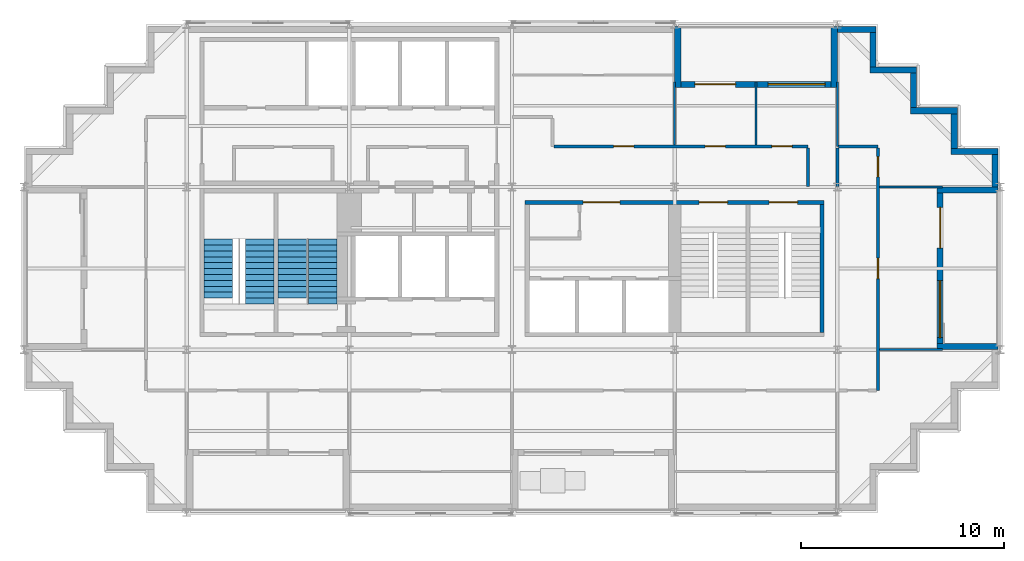
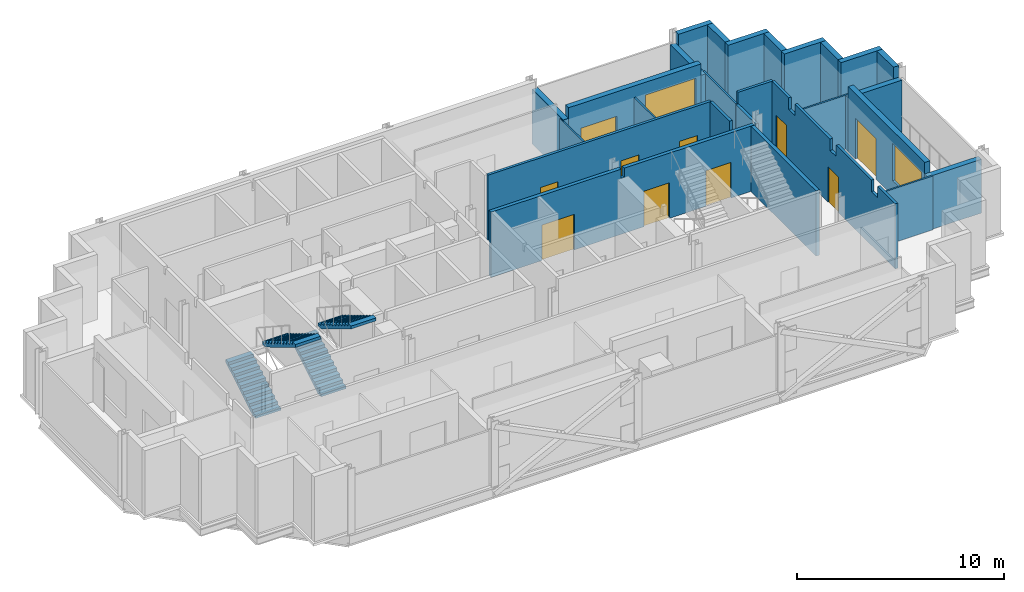
# One storey, part 7 of 10: 26 walls, 10 doors, 4 stair flights, 2 windows, 12 openings, 2 elements without a shape of their own.
"""IFC4 building model written with IfcOpenShell, lengths in metres."""

from ifc_helpers import new_model, si_unit, direction, frame, frame_2d, origin, place, context, subcontext, project, spatial, polyline, rectangle, outline, extrude, material, layer, layer_set, type_object, element, fill, aggregate, save


model = new_model("IFC4")

# Units and contexts
model_context = context("Model", 3, precision=1e-05, world=origin(), true_north=direction((0.0, 1.0)))
body_context = subcontext(model_context, "Body", "Model", "MODEL_VIEW")
ifc_project = project(units=[si_unit("LENGTHUNIT", "METRE"), si_unit("AREAUNIT", "SQUARE_METRE"), si_unit("VOLUMEUNIT", "CUBIC_METRE"), si_unit("PLANEANGLEUNIT", "RADIAN"), si_unit("MASSUNIT", "GRAM", prefix="KILO")], contexts=[model_context])

# Site, building, storey
site_placement = place(None, origin())
site = spatial("IfcSite", under=ifc_project, at=site_placement, CompositionType="ELEMENT")
building_placement = place(site_placement, origin())
building = spatial("IfcBuilding", under=site, at=building_placement, Name="Immortelle Media Tower", CompositionType="ELEMENT")
storey_placement = place(building_placement, frame((0.0, 0.0, 263.0)))
storey = spatial("IfcBuildingStorey", under=building, at=storey_placement, Name="L57", CompositionType="ELEMENT", Elevation=263.0)

# Wall, openings, doors
ifc_material_1 = material(Name="Fire-rated gypsum board", Category="gypsum")
ifc_layer_1 = layer(ifc_material_1, 0.012451171875)
ifc_material_2 = material(Name="Steel ASTM A653 SS Gr 50 stud frame with mineral wool", Category="steel")
ifc_layer_2 = layer(ifc_material_2, 0.125)
ifc_layer_3 = layer(ifc_material_1, 0.012451171875)
ifc_layer_set_1 = layer_set([ifc_layer_1, ifc_layer_2, ifc_layer_3], Name="Steel ASTM A653 SS Gr 50 stud frame with mineral wool")
wall_type_1 = type_object("IfcWallType", Name="Corridor wall 150", PredefinedType="PARTITIONING", material=ifc_layer_set_1)
wall_1_placement = place(storey_placement, frame((42.0, 6.0, 0.0), z_axis=(0.0, 0.0, 1.0), x_axis=(0.0, 1.0, 0.0)))
wall_1 = element("IfcWall", 1, at=wall_1_placement, inside=storey, type_object=wall_type_1, Name="Partition L57-012", PredefinedType="PARTITIONING", context=body_context, shape_type="SweptSolid", body=[
    extrude(outline(polyline([(0.0, 0.0), (11.925048828125, 0.0), (11.925048828125, 3.85009765625), (10.300048828125, 3.85009765625), (10.298095703125, 3.172119140625), (9.701904296875, 3.172119140625), (9.699951171875, 3.85009765625), (6.300048828125, 3.85009765625), (6.298095703125, 3.172119140625), (5.701904296875, 3.172119140625), (5.699951171875, 3.85009765625), (2.300048828125, 3.85009765625), (2.298095703125, 3.172119140625), (1.701904296875, 3.172119140625), (1.699951171875, 3.85009765625), (0.0, 3.85009765625), (0.0, 0.0)])), frame((0.0, 0.074951171875, 0.0), z_axis=(0.0, -1.0, 0.0), x_axis=(1.0, 0.0, 0.0)), (0.0, 0.0, 1.0), 0.14990234375),
])
opening_1_placement = place(wall_1_placement, frame((6.5, 0.0, 0.0), z_axis=(0.0, 0.0, 1.0), x_axis=(-1.0, 0.0, 0.0)))
opening_1 = element("IfcOpeningElement", 2, at=opening_1_placement, cuts=wall_1, Name="Opening X2-F011", PredefinedType="OPENING", context=body_context, shape_type="SweptSolid", body=[
    extrude(rectangle(XDim=1.0, YDim=2.10009765625, at=frame_2d((0.5, 1.050048828125))), frame((0.0, 0.0849609375, 0.0), z_axis=(0.0, -1.0, 0.0), x_axis=(1.0, 0.0, 0.0)), (0.0, 0.0, 1.0), 0.169921875),
])
opening_2_placement = place(wall_1_placement, frame((11.5, 0.0, 0.0), z_axis=(0.0, 0.0, 1.0), x_axis=(-1.0, 0.0, 0.0)))
opening_2 = element("IfcOpeningElement", 3, at=opening_2_placement, cuts=wall_1, Name="Opening X2-F013", PredefinedType="OPENING", context=body_context, shape_type="SweptSolid", body=[
    extrude(rectangle(XDim=1.0, YDim=2.10009765625, at=frame_2d((0.5, 1.050048828125))), frame((0.0, 0.0849609375, 0.0), z_axis=(0.0, -1.0, 0.0), x_axis=(1.0, 0.0, 0.0)), (0.0, 0.0, 1.0), 0.169921875),
])
ifc_material_3 = material(Name="Timber veneered door leaf, galvanised steel frame ASTM A653", Category="steel")
door_type_1 = type_object("IfcDoorType", Name="Room door 1000 x 2100", OperationType="NOTDEFINED", PredefinedType="DOOR", material=ifc_material_3)
door_1_placement = place(opening_1_placement, origin())
door_1 = element("IfcDoor", 4, at=door_1_placement, inside=storey, type_object=door_type_1, Name="Door X2-F011", OperationType="SINGLE_SWING_LEFT", OverallHeight=2.10009765625, OverallWidth=1.0, PredefinedType="DOOR", context=body_context, shape_type="SweptSolid", body=[
    extrude(rectangle(XDim=1.0, YDim=2.10009765625, at=frame_2d((0.5, 1.050048828125))), frame((0.0, 0.02490234375, 0.0), z_axis=(0.0, -1.0, 0.0), x_axis=(1.0, 0.0, 0.0)), (0.0, 0.0, 1.0), 0.050048828125),
])
fill(opening_1, door_1)
door_2_placement = place(opening_2_placement, origin())
door_2 = element("IfcDoor", 5, at=door_2_placement, inside=storey, type_object=door_type_1, Name="Door X2-F013", OperationType="SINGLE_SWING_RIGHT", OverallHeight=2.10009765625, OverallWidth=1.0, PredefinedType="DOOR", context=body_context, shape_type="SweptSolid", body=[
    extrude(rectangle(XDim=1.0, YDim=2.10009765625, at=frame_2d((0.5, 1.050048828125))), frame((0.0, 0.02490234375, 0.0), z_axis=(0.0, -1.0, 0.0), x_axis=(1.0, 0.0, 0.0)), (0.0, 0.0, 1.0), 0.050048828125),
])
fill(opening_2, door_2)

# Walls
wall_2_placement = place(storey_placement, frame((38.550048828125, 16.030029296875, 0.0), z_axis=(0.0, 0.0, 1.0), x_axis=(0.0, 1.0, 0.0)))
element("IfcWall", 6, at=wall_2_placement, inside=storey, type_object=wall_type_1, Name="Partition L57-017", PredefinedType="PARTITIONING", context=body_context, shape_type="SweptSolid", body=[
    extrude(rectangle(XDim=1.89501953125, YDim=0.14990234375, at=frame_2d((0.947509765625, 0.0))), origin(), (0.0, 0.0, 1.0), 3.85009765625),
])
wall_3_placement = place(storey_placement, frame((40.0, 16.030029296875, 0.0), z_axis=(0.0, 0.0, 1.0), x_axis=(0.0, 1.0, 0.0)))
element("IfcWall", 7, at=wall_3_placement, inside=storey, type_object=wall_type_1, Name="Partition L57-018", PredefinedType="PARTITIONING", context=body_context, shape_type="SweptSolid", body=[
    extrude(rectangle(XDim=1.89501953125, YDim=0.14990234375, at=frame_2d((0.947509765625, 0.0))), origin(), (0.0, 0.0, 1.0), 3.172119140625),
])

# Wall, openings, doors
wall_4_placement = place(storey_placement, frame((26.074951171875, 18.0, 0.0), z_axis=(0.0, 0.0, 1.0), x_axis=(1.0, 0.0, 0.0)))
wall_4 = element("IfcWall", 8, at=wall_4_placement, inside=storey, type_object=wall_type_1, Name="Partition L57-019", PredefinedType="PARTITIONING", context=body_context, shape_type="SweptSolid", body=[
    extrude(rectangle(XDim=12.47509765625, YDim=0.14990234375, at=frame_2d((6.237548828125, 0.0))), origin(), (0.0, 0.0, 1.0), 3.85009765625),
])
opening_3_placement = place(wall_4_placement, frame((7.425048828125, 0.0, 0.0)))
opening_3 = element("IfcOpeningElement", 9, at=opening_3_placement, cuts=wall_4, Name="Opening X2-F014", PredefinedType="OPENING", context=body_context, shape_type="SweptSolid", body=[
    extrude(rectangle(XDim=1.0, YDim=2.10009765625, at=frame_2d((0.5, 1.050048828125))), frame((0.0, 0.0849609375, 0.0), z_axis=(0.0, -1.0, 0.0), x_axis=(1.0, 0.0, 0.0)), (0.0, 0.0, 1.0), 0.169921875),
])
opening_4_placement = place(wall_4_placement, frame((10.699951171875, 0.0, 0.0)))
opening_4 = element("IfcOpeningElement", 10, at=opening_4_placement, cuts=wall_4, Name="Opening X2-F015", PredefinedType="OPENING", context=body_context, shape_type="SweptSolid", body=[
    extrude(rectangle(XDim=1.0, YDim=2.10009765625, at=frame_2d((0.5, 1.050048828125))), frame((0.0, 0.0849609375, 0.0), z_axis=(0.0, -1.0, 0.0), x_axis=(1.0, 0.0, 0.0)), (0.0, 0.0, 1.0), 0.169921875),
])
opening_5_placement = place(wall_4_placement, frame((3.925048828125, 0.0, 0.0), z_axis=(0.0, 0.0, 1.0), x_axis=(-1.0, 0.0, 0.0)))
opening_5 = element("IfcOpeningElement", 11, at=opening_5_placement, cuts=wall_4, Name="Opening X2-F016", PredefinedType="OPENING", context=body_context, shape_type="SweptSolid", body=[
    extrude(rectangle(XDim=1.0, YDim=2.10009765625, at=frame_2d((0.5, 1.050048828125))), frame((0.0, 0.0849609375, 0.0), z_axis=(0.0, -1.0, 0.0), x_axis=(1.0, 0.0, 0.0)), (0.0, 0.0, 1.0), 0.169921875),
])
door_3_placement = place(opening_3_placement, origin())
door_3 = element("IfcDoor", 12, at=door_3_placement, inside=storey, type_object=door_type_1, Name="Door X2-F014", OperationType="SINGLE_SWING_LEFT", OverallHeight=2.10009765625, OverallWidth=1.0, PredefinedType="DOOR", context=body_context, shape_type="SweptSolid", body=[
    extrude(rectangle(XDim=1.0, YDim=2.10009765625, at=frame_2d((0.5, 1.050048828125))), frame((0.0, 0.02490234375, 0.0), z_axis=(0.0, -1.0, 0.0), x_axis=(1.0, 0.0, 0.0)), (0.0, 0.0, 1.0), 0.050048828125),
])
fill(opening_3, door_3)
door_4_placement = place(opening_4_placement, origin())
door_4 = element("IfcDoor", 13, at=door_4_placement, inside=storey, type_object=door_type_1, Name="Door X2-F015", OperationType="SINGLE_SWING_LEFT", OverallHeight=2.10009765625, OverallWidth=1.0, PredefinedType="DOOR", context=body_context, shape_type="SweptSolid", body=[
    extrude(rectangle(XDim=1.0, YDim=2.10009765625, at=frame_2d((0.5, 1.050048828125))), frame((0.0, 0.02490234375, 0.0), z_axis=(0.0, -1.0, 0.0), x_axis=(1.0, 0.0, 0.0)), (0.0, 0.0, 1.0), 0.050048828125),
])
fill(opening_4, door_4)
door_5_placement = place(opening_5_placement, origin())
door_5 = element("IfcDoor", 14, at=door_5_placement, inside=storey, type_object=door_type_1, Name="Door X2-F016", OperationType="SINGLE_SWING_RIGHT", OverallHeight=2.10009765625, OverallWidth=1.0, PredefinedType="DOOR", context=body_context, shape_type="SweptSolid", body=[
    extrude(rectangle(XDim=1.0, YDim=2.10009765625, at=frame_2d((0.5, 1.050048828125))), frame((0.0, 0.02490234375, 0.0), z_axis=(0.0, -1.0, 0.0), x_axis=(1.0, 0.0, 0.0)), (0.0, 0.0, 1.0), 0.050048828125),
])
fill(opening_5, door_5)

# Wall
wall_5_placement = place(storey_placement, frame((40.050048828125, 18.0, 0.0), z_axis=(0.0, 0.0, 1.0), x_axis=(1.0, 0.0, 0.0)))
element("IfcWall", 15, at=wall_5_placement, inside=storey, type_object=wall_type_1, Name="Partition L57-023", PredefinedType="PARTITIONING", context=body_context, shape_type="SweptSolid", body=[
    extrude(rectangle(XDim=1.949951171875, YDim=0.14990234375, at=frame_2d((0.97509765625, 0.0))), origin(), (0.0, 0.0, 1.0), 3.85009765625),
])

# Wall, openings, door, window
ifc_material_4 = material(Name="Pale aluminium cladding panel", Category="aluminium")
ifc_layer_4 = layer(ifc_material_4, 0.030029296875)
ifc_layer_5 = layer(ifc_material_2, 0.257568359375)
ifc_material_5 = material(Name="Moisture-resistant gypsum board", Category="gypsum")
ifc_layer_6 = layer(ifc_material_5, 0.012451171875)
ifc_layer_set_2 = layer_set([ifc_layer_4, ifc_layer_5, ifc_layer_6], Name="Steel ASTM A653 SS Gr 50 stud frame with mineral wool")
wall_type_2 = type_object("IfcWallType", Name="Facade wall 300", PredefinedType="SOLIDWALL", material=ifc_layer_set_2)
wall_6_placement = place(storey_placement, frame((45.050048828125, 8.300048828125, 0.0), z_axis=(0.0, 0.0, 1.0), x_axis=(0.0, 1.0, 0.0)))
wall_6 = element("IfcWall", 16, at=wall_6_placement, inside=storey, type_object=wall_type_2, Name="Loggia wall L57 E13", PredefinedType="SOLIDWALL", context=body_context, shape_type="SweptSolid", body=[
    extrude(rectangle(XDim=7.39990234375, YDim=0.300048828125, at=frame_2d((3.699951171875, 0.0))), origin(), (0.0, 0.0, 1.0), 3.85009765625),
])
opening_6_placement = place(wall_6_placement, frame((0.300048828125, 0.0, 0.89990234375)))
opening_6 = element("IfcOpeningElement", 17, at=opening_6_placement, cuts=wall_6, Name="Opening W1", PredefinedType="OPENING", context=body_context, shape_type="SweptSolid", body=[
    extrude(rectangle(XDim=2.800048828125, YDim=2.199951171875, at=frame_2d((1.39990234375, 1.10009765625))), frame((0.0, 0.159912109375, 0.0), z_axis=(0.0, -1.0, 0.0), x_axis=(1.0, 0.0, 0.0)), (0.0, 0.0, 1.0), 0.320068359375),
])
opening_7_placement = place(wall_6_placement, frame((4.699951171875, 0.0, 0.0)))
opening_7 = element("IfcOpeningElement", 18, at=opening_7_placement, cuts=wall_6, Name="Opening X2-E003", PredefinedType="OPENING", context=body_context, shape_type="SweptSolid", body=[
    extrude(rectangle(XDim=2.0, YDim=2.39990234375, at=frame_2d((1.0, 1.199951171875))), frame((0.0, 0.159912109375, 0.0), z_axis=(0.0, -1.0, 0.0), x_axis=(1.0, 0.0, 0.0)), (0.0, 0.0, 1.0), 0.320068359375),
])
ifc_material_6 = material(Name="Aluminium frame, glazed leaves", Category="aluminium")
door_type_2 = type_object("IfcDoorType", Name="Loggia door 2000 x 2400", OperationType="DOUBLE_DOOR_SINGLE_SWING", PredefinedType="DOOR", material=ifc_material_6)
door_6_placement = place(opening_7_placement, origin())
door_6 = element("IfcDoor", 19, at=door_6_placement, inside=storey, type_object=door_type_2, Name="Door X2-E003", OperationType="DOUBLE_DOOR_SINGLE_SWING", OverallHeight=2.39990234375, OverallWidth=2.0, PredefinedType="DOOR", context=body_context, shape_type="SweptSolid", body=[
    extrude(rectangle(XDim=2.0, YDim=2.39990234375, at=frame_2d((1.0, 1.199951171875))), frame((0.0, 0.02490234375, 0.0), z_axis=(0.0, -1.0, 0.0), x_axis=(1.0, 0.0, 0.0)), (0.0, 0.0, 1.0), 0.050048828125),
])
fill(opening_7, door_6)
ifc_material_7 = material(Name="Aluminium frame", Category="aluminium")
window_type = type_object("IfcWindowType", Name="Window 2800 x 2200", PartitioningType="SINGLE_PANEL", PredefinedType="WINDOW", material=ifc_material_7)
window_1_placement = place(opening_6_placement, origin())
window_1 = element("IfcWindow", 20, at=window_1_placement, inside=storey, type_object=window_type, Name="Window L57 L57-R13-B0", OverallHeight=2.199951171875, OverallWidth=2.800048828125, PartitioningType="SINGLE_PANEL", PredefinedType="WINDOW", context=body_context, shape_type="SweptSolid", body=[
    extrude(rectangle(XDim=2.800048828125, YDim=2.199951171875, at=frame_2d((1.39990234375, 1.10009765625))), frame((0.0, 0.030029296875, 0.0), z_axis=(0.0, -1.0, 0.0), x_axis=(1.0, 0.0, 0.0)), (0.0, 0.0, 1.0), 0.06005859375),
])
fill(opening_6, window_1)

# Walls
for number, where, z_axis, x_axis, name in (
    (21, (47.89990234375, 8.14990234375, 0.0), (0.0, 0.0, 1.0), (-1.0, 0.0, 0.0), "Loggia cheek wall L57 E"),
    (22, (47.89990234375, 15.85009765625, 0.0), (0.0, 0.0, 1.0), (-1.0, 0.0, 0.0), "Loggia cheek wall L57 E"),
):
    element("IfcWall", number, at=place(storey_placement, frame(where, z_axis=z_axis, x_axis=x_axis)), inside=storey, type_object=wall_type_2, Name=name, PredefinedType="SOLIDWALL", context=body_context, shape_type="SweptSolid", body=[
        extrude(rectangle(XDim=3.0, YDim=0.300048828125, at=frame_2d((1.5, 0.0))), origin(), (0.0, 0.0, 1.0), 3.1708984375),
    ])
wall_7_placement = place(storey_placement, frame((47.75, 16.0, 0.0), z_axis=(0.0, 0.0, 1.0), x_axis=(0.0, 1.0, 0.0)))
element("IfcWall", 23, at=wall_7_placement, inside=storey, type_object=wall_type_2, Name="Facade wall L57 E13", PredefinedType="SOLIDWALL", context=body_context, shape_type="SweptSolid", body=[
    extrude(rectangle(XDim=1.60009765625, YDim=0.300048828125, at=frame_2d((0.800048828125, 0.0))), origin(), (0.0, 0.0, 1.0), 3.85009765625),
])
wall_8_placement = place(storey_placement, frame((47.89990234375, 17.75, 0.0), z_axis=(0.0, 0.0, 1.0), x_axis=(-1.0, 0.0, 0.0)))
element("IfcWall", 24, at=wall_8_placement, inside=storey, type_object=wall_type_2, Name="Facade wall L57 N14", PredefinedType="SOLIDWALL", context=body_context, shape_type="SweptSolid", body=[
    extrude(rectangle(XDim=2.2998046875, YDim=0.300048828125, at=frame_2d((1.14990234375, 0.0))), origin(), (0.0, 0.0, 1.0), 3.85009765625),
])
wall_9_placement = place(storey_placement, frame((45.75, 17.89990234375, 0.0), z_axis=(0.0, 0.0, 1.0), x_axis=(0.0, 1.0, 0.0)))
element("IfcWall", 25, at=wall_9_placement, inside=storey, type_object=wall_type_2, Name="Facade wall L57 E15", PredefinedType="SOLIDWALL", context=body_context, shape_type="SweptSolid", body=[
    extrude(rectangle(XDim=1.7001953125, YDim=0.300048828125, at=frame_2d((0.85009765625, 0.0))), origin(), (0.0, 0.0, 1.0), 3.85009765625),
])
wall_10_placement = place(storey_placement, frame((45.89990234375, 19.75, 0.0), z_axis=(0.0, 0.0, 1.0), x_axis=(-1.0, 0.0, 0.0)))
element("IfcWall", 26, at=wall_10_placement, inside=storey, type_object=wall_type_2, Name="Facade wall L57 N16", PredefinedType="SOLIDWALL", context=body_context, shape_type="SweptSolid", body=[
    extrude(rectangle(XDim=2.2998046875, YDim=0.300048828125, at=frame_2d((1.14990234375, 0.0))), origin(), (0.0, 0.0, 1.0), 3.85009765625),
])
wall_11_placement = place(storey_placement, frame((43.75, 19.89990234375, 0.0), z_axis=(0.0, 0.0, 1.0), x_axis=(0.0, 1.0, 0.0)))
element("IfcWall", 27, at=wall_11_placement, inside=storey, type_object=wall_type_2, Name="Facade wall L57 E17", PredefinedType="SOLIDWALL", context=body_context, shape_type="SweptSolid", body=[
    extrude(rectangle(XDim=1.7001953125, YDim=0.300048828125, at=frame_2d((0.85009765625, 0.0))), origin(), (0.0, 0.0, 1.0), 3.85009765625),
])
wall_12_placement = place(storey_placement, frame((43.89990234375, 21.75, 0.0), z_axis=(0.0, 0.0, 1.0), x_axis=(-1.0, 0.0, 0.0)))
element("IfcWall", 28, at=wall_12_placement, inside=storey, type_object=wall_type_2, Name="Facade wall L57 N18", PredefinedType="SOLIDWALL", context=body_context, shape_type="SweptSolid", body=[
    extrude(rectangle(XDim=2.2998046875, YDim=0.300048828125, at=frame_2d((1.14990234375, 0.0))), origin(), (0.0, 0.0, 1.0), 3.85009765625),
])
wall_13_placement = place(storey_placement, frame((41.75, 21.89990234375, 0.0), z_axis=(0.0, 0.0, 1.0), x_axis=(0.0, 1.0, 0.0)))
element("IfcWall", 29, at=wall_13_placement, inside=storey, type_object=wall_type_2, Name="Facade wall L57 E19", PredefinedType="SOLIDWALL", context=body_context, shape_type="SweptSolid", body=[
    extrude(rectangle(XDim=1.7001953125, YDim=0.300048828125, at=frame_2d((0.85009765625, 0.0))), origin(), (0.0, 0.0, 1.0), 3.85009765625),
])
wall_14_placement = place(storey_placement, frame((41.89990234375, 23.75, 0.0), z_axis=(0.0, 0.0, 1.0), x_axis=(-1.0, 0.0, 0.0)))
element("IfcWall", 30, at=wall_14_placement, inside=storey, type_object=wall_type_2, Name="Facade wall L57 N20", PredefinedType="SOLIDWALL", context=body_context, shape_type="SweptSolid", body=[
    extrude(rectangle(XDim=1.89990234375, YDim=0.300048828125, at=frame_2d((0.949951171875, 0.0))), origin(), (0.0, 0.0, 1.0), 3.85009765625),
])

# Wall, openings, door, window
wall_15_placement = place(storey_placement, frame((39.699951171875, 21.050048828125, 0.0), z_axis=(0.0, 0.0, 1.0), x_axis=(-1.0, 0.0, 0.0)))
wall_15 = element("IfcWall", 31, at=wall_15_placement, inside=storey, type_object=wall_type_2, Name="Loggia wall L57 N20", PredefinedType="SOLIDWALL", context=body_context, shape_type="SweptSolid", body=[
    extrude(rectangle(XDim=7.39990234375, YDim=0.300048828125, at=frame_2d((3.699951171875, 0.0))), origin(), (0.0, 0.0, 1.0), 3.85009765625),
])
opening_8_placement = place(wall_15_placement, frame((0.300048828125, 0.0, 0.89990234375)))
opening_8 = element("IfcOpeningElement", 32, at=opening_8_placement, cuts=wall_15, Name="Opening W1", PredefinedType="OPENING", context=body_context, shape_type="SweptSolid", body=[
    extrude(rectangle(XDim=2.800048828125, YDim=2.199951171875, at=frame_2d((1.39990234375, 1.10009765625))), frame((0.0, 0.159912109375, 0.0), z_axis=(0.0, -1.0, 0.0), x_axis=(1.0, 0.0, 0.0)), (0.0, 0.0, 1.0), 0.320068359375),
])
opening_9_placement = place(wall_15_placement, frame((4.699951171875, 0.0, 0.0)))
opening_9 = element("IfcOpeningElement", 33, at=opening_9_placement, cuts=wall_15, Name="Opening X2-E004", PredefinedType="OPENING", context=body_context, shape_type="SweptSolid", body=[
    extrude(rectangle(XDim=2.0, YDim=2.39990234375, at=frame_2d((1.0, 1.199951171875))), frame((0.0, 0.159912109375, 0.0), z_axis=(0.0, -1.0, 0.0), x_axis=(1.0, 0.0, 0.0)), (0.0, 0.0, 1.0), 0.320068359375),
])
door_7_placement = place(opening_9_placement, origin())
door_7 = element("IfcDoor", 34, at=door_7_placement, inside=storey, type_object=door_type_2, Name="Door X2-E004", OperationType="DOUBLE_DOOR_SINGLE_SWING", OverallHeight=2.39990234375, OverallWidth=2.0, PredefinedType="DOOR", context=body_context, shape_type="SweptSolid", body=[
    extrude(rectangle(XDim=2.0, YDim=2.39990234375, at=frame_2d((1.0, 1.199951171875))), frame((0.0, 0.02490234375, 0.0), z_axis=(0.0, -1.0, 0.0), x_axis=(1.0, 0.0, 0.0)), (0.0, 0.0, 1.0), 0.050048828125),
])
fill(opening_9, door_7)
window_2_placement = place(opening_8_placement, origin())
window_2 = element("IfcWindow", 35, at=window_2_placement, inside=storey, type_object=window_type, Name="Window L57 L57-R20-B0", OverallHeight=2.199951171875, OverallWidth=2.800048828125, PartitioningType="SINGLE_PANEL", PredefinedType="WINDOW", context=body_context, shape_type="SweptSolid", body=[
    extrude(rectangle(XDim=2.800048828125, YDim=2.199951171875, at=frame_2d((1.39990234375, 1.10009765625))), frame((0.0, 0.030029296875, 0.0), z_axis=(0.0, -1.0, 0.0), x_axis=(1.0, 0.0, 0.0)), (0.0, 0.0, 1.0), 0.06005859375),
])
fill(opening_8, window_2)

# Walls
wall_16_placement = place(storey_placement, frame((39.85009765625, 23.89990234375, 0.0), z_axis=(0.0, 0.0, 1.0), x_axis=(0.0, -1.0, 0.0)))
element("IfcWall", 36, at=wall_16_placement, inside=storey, type_object=wall_type_2, Name="Loggia cheek wall L57 N", PredefinedType="SOLIDWALL", context=body_context, shape_type="SweptSolid", body=[
    extrude(rectangle(XDim=3.0, YDim=0.300048828125, at=frame_2d((1.5, 0.0))), origin(), (0.0, 0.0, 1.0), 3.1708984375),
])
wall_17_placement = place(storey_placement, frame((32.14990234375, 23.89990234375, 0.0), z_axis=(0.0, 0.0, 1.0), x_axis=(0.0, -1.0, 0.0)))
element("IfcWall", 37, at=wall_17_placement, inside=storey, type_object=wall_type_2, Name="Loggia cheek wall L57 N", PredefinedType="SOLIDWALL", context=body_context, shape_type="SweptSolid", body=[
    extrude(rectangle(XDim=3.0, YDim=0.300048828125, at=frame_2d((1.5, 0.0))), origin(), (0.0, 0.0, 1.0), 3.237060546875),
])
ifc_material_8 = material(Name="Gypsum board", Category="gypsum")
ifc_layer_7 = layer(ifc_material_8, 0.012451171875)
ifc_layer_8 = layer(ifc_material_2, 0.074951171875)
ifc_layer_9 = layer(ifc_material_8, 0.012451171875)
ifc_layer_set_3 = layer_set([ifc_layer_7, ifc_layer_8, ifc_layer_9], Name="Steel ASTM A653 SS Gr 50 stud frame with mineral wool")
wall_type_3 = type_object("IfcWallType", Name="Partition 100", PredefinedType="PARTITIONING", material=ifc_layer_set_3)
for number, where, z_axis, x_axis, name in (
    (38, (42.074951171875, 8.0, 0.0), (0.0, 0.0, 1.0), (1.0, 0.0, 0.0), "Partition L57-014"),
    (39, (42.074951171875, 16.0, 0.0), (0.0, 0.0, 1.0), (1.0, 0.0, 0.0), "Partition L57-016"),
    (40, (32.0, 18.074951171875, 0.0), (0.0, 0.0, 1.0), (0.0, 1.0, 0.0), "Partition L57-021"),
    (41, (36.0, 18.074951171875, 0.0), (0.0, 0.0, 1.0), (0.0, 1.0, 0.0), "Partition L57-022"),
):
    element("IfcWall", number, at=place(storey_placement, frame(where, z_axis=z_axis, x_axis=x_axis)), inside=storey, type_object=wall_type_3, Name=name, PredefinedType="PARTITIONING", context=body_context, shape_type="SweptSolid", body=[
        extrude(rectangle(XDim=3.094970703125, YDim=0.10009765625, at=frame_2d((1.54736328125, 0.0))), origin(), (0.0, 0.0, 1.0), 3.172119140625),
    ])
wall_18_placement = place(storey_placement, frame((40.0, 18.0, 0.0), z_axis=(0.0, 0.0, 1.0), x_axis=(0.0, 1.0, 0.0)))
element("IfcWall", 42, at=wall_18_placement, inside=storey, type_object=wall_type_3, Name="Partition L57-024", PredefinedType="PARTITIONING", context=body_context, shape_type="SweptSolid", body=[
    extrude(rectangle(XDim=3.169921875, YDim=0.10009765625, at=frame_2d((1.5849609375, 0.0))), origin(), (0.0, 0.0, 1.0), 3.172119140625),
])

# Wall, openings, doors
ifc_material_9 = material(Name="Concrete C60", Category="concrete")
ifc_layer_10 = layer(ifc_material_9, 0.199951171875)
ifc_layer_set_4 = layer_set([ifc_layer_10], Name="Concrete C60")
wall_type_4 = type_object("IfcWallType", Name="Stair shaft wall 200", PredefinedType="PARTITIONING", material=ifc_layer_set_4)
wall_19_placement = place(storey_placement, frame((24.64990234375, 15.25, 0.0), z_axis=(0.0, 0.0, 1.0), x_axis=(1.0, 0.0, 0.0)))
wall_19 = element("IfcWall", 43, at=wall_19_placement, inside=storey, type_object=wall_type_4, Name="Stair shaft wall SE", PredefinedType="PARTITIONING", context=body_context, shape_type="SweptSolid", body=[
    extrude(outline(polyline([(0.0, 0.0), (14.7001953125, 0.0), (14.699951171875, 3.85009765625), (7.4384765625, 3.85009765625), (7.4375, 3.30810546875), (7.262451171875, 3.30810546875), (7.261474609375, 3.85009765625), (0.0, 3.85009765625), (0.0, 0.0)])), frame((0.0, 0.10009765625, 0.0), z_axis=(0.0, -1.0, 0.0), x_axis=(1.0, 0.0, 0.0)), (0.0, 0.0, 1.0), 0.199951171875),
])
opening_10_placement = place(wall_19_placement, frame((2.85009765625, 0.0, 0.0)))
opening_10 = element("IfcOpeningElement", 44, at=opening_10_placement, cuts=wall_19, Name="Opening X2-K023", PredefinedType="OPENING", context=body_context, shape_type="SweptSolid", body=[
    extrude(rectangle(XDim=1.800048828125, YDim=2.10009765625, at=frame_2d((0.89990234375, 1.050048828125))), frame((0.0, 0.10986328125, 0.0), z_axis=(0.0, -1.0, 0.0), x_axis=(1.0, 0.0, 0.0)), (0.0, 0.0, 1.0), 0.219970703125),
])
opening_11_placement = place(wall_19_placement, frame((9.949951171875, 0.0, 0.0), z_axis=(0.0, 0.0, 1.0), x_axis=(-1.0, 0.0, 0.0)))
opening_11 = element("IfcOpeningElement", 45, at=opening_11_placement, cuts=wall_19, Name="Opening X2-K025", PredefinedType="OPENING", context=body_context, shape_type="SweptSolid", body=[
    extrude(rectangle(XDim=1.39990234375, YDim=2.10009765625, at=frame_2d((0.699951171875, 1.050048828125))), frame((0.0, 0.10986328125, 0.0), z_axis=(0.0, -1.0, 0.0), x_axis=(1.0, 0.0, 0.0)), (0.0, 0.0, 1.0), 0.219970703125),
])
opening_12_placement = place(wall_19_placement, frame((13.39990234375, 0.0, 0.0), z_axis=(0.0, 0.0, 1.0), x_axis=(-1.0, 0.0, 0.0)))
opening_12 = element("IfcOpeningElement", 46, at=opening_12_placement, cuts=wall_19, Name="Opening X2-K026", PredefinedType="OPENING", context=body_context, shape_type="SweptSolid", body=[
    extrude(rectangle(XDim=1.39990234375, YDim=2.10009765625, at=frame_2d((0.699951171875, 1.050048828125))), frame((0.0, 0.10986328125, 0.0), z_axis=(0.0, -1.0, 0.0), x_axis=(1.0, 0.0, 0.0)), (0.0, 0.0, 1.0), 0.219970703125),
])
ifc_material_10 = material(Name="Galvanised steel door leaf and frame ASTM A653", Category="steel")
door_type_3 = type_object("IfcDoorType", Name="Lift lobby door 1800 x 2100", OperationType="DOUBLE_DOOR_SINGLE_SWING", PredefinedType="NOTDEFINED", material=ifc_material_10)
door_8_placement = place(opening_10_placement, origin())
door_8 = element("IfcDoor", 47, at=door_8_placement, inside=storey, type_object=door_type_3, Name="Lift lobby X2-K023", OperationType="DOUBLE_DOOR_SINGLE_SWING", OverallHeight=2.10009765625, OverallWidth=1.800048828125, PredefinedType="NOTDEFINED", context=body_context, shape_type="SweptSolid", body=[
    extrude(rectangle(XDim=1.800048828125, YDim=2.10009765625, at=frame_2d((0.89990234375, 1.050048828125))), frame((0.0, 0.02490234375, 0.0), z_axis=(0.0, -1.0, 0.0), x_axis=(1.0, 0.0, 0.0)), (0.0, 0.0, 1.0), 0.050048828125),
])
fill(opening_10, door_8)
door_type_4 = type_object("IfcDoorType", Name="Stair door 1400 x 2100", OperationType="DOUBLE_DOOR_SINGLE_SWING", PredefinedType="NOTDEFINED", material=ifc_material_10)
door_9_placement = place(opening_11_placement, origin())
door_9 = element("IfcDoor", 48, at=door_9_placement, inside=storey, type_object=door_type_4, Name="Stair X2-K025", OperationType="DOUBLE_DOOR_SINGLE_SWING", OverallHeight=2.10009765625, OverallWidth=1.39990234375, PredefinedType="NOTDEFINED", context=body_context, shape_type="SweptSolid", body=[
    extrude(rectangle(XDim=1.39990234375, YDim=2.10009765625, at=frame_2d((0.699951171875, 1.050048828125))), frame((0.0, 0.02490234375, 0.0), z_axis=(0.0, -1.0, 0.0), x_axis=(1.0, 0.0, 0.0)), (0.0, 0.0, 1.0), 0.050048828125),
])
fill(opening_11, door_9)
door_10_placement = place(opening_12_placement, origin())
door_10 = element("IfcDoor", 49, at=door_10_placement, inside=storey, type_object=door_type_4, Name="Stair X2-K026", OperationType="DOUBLE_DOOR_SINGLE_SWING", OverallHeight=2.10009765625, OverallWidth=1.39990234375, PredefinedType="NOTDEFINED", context=body_context, shape_type="SweptSolid", body=[
    extrude(rectangle(XDim=1.39990234375, YDim=2.10009765625, at=frame_2d((0.699951171875, 1.050048828125))), frame((0.0, 0.02490234375, 0.0), z_axis=(0.0, -1.0, 0.0), x_axis=(1.0, 0.0, 0.0)), (0.0, 0.0, 1.0), 0.050048828125),
])
fill(opening_12, door_10)

# Wall
wall_20_placement = place(storey_placement, frame((39.25, 8.85009765625, 0.0), z_axis=(0.0, 0.0, 1.0), x_axis=(0.0, 1.0, 0.0)))
element("IfcWall", 50, at=wall_20_placement, inside=storey, type_object=wall_type_4, Name="Stair shaft wall SE", PredefinedType="PARTITIONING", context=body_context, shape_type="SweptSolid", body=[
    extrude(rectangle(XDim=6.2998046875, YDim=0.199951171875, at=frame_2d((3.14990234375, 0.0))), origin(), (0.0, 0.0, 1.0), 3.85009765625),
])

# Stair, stair flights
ifc_material_11 = material(Name="Steel ASTM A992 Gr 50", Category="steel")
stair_type = type_object("IfcStairType", Name="Stair with flights", PredefinedType="DOUBLE_RETURN_STAIR", material=ifc_material_11)
stair_1_placement = place(storey_placement, origin())
stair_1 = element("IfcStair", 51, at=stair_1_placement, inside=storey, type_object=stair_type, Name="Exit stair SW1", PredefinedType="DOUBLE_RETURN_STAIR")
stair_flight_type = type_object("IfcStairFlightType", Name="Stair flight 1400", PredefinedType="STRAIGHT", material=ifc_material_11)
stair_flight_1_placement = place(storey_placement, frame((9.550048828125, 10.5400390625, 0.0), z_axis=(0.0, 0.0, 1.0), x_axis=(0.0, 1.0, 0.0)))
stair_flight_1 = element("IfcStairFlight", 52, at=stair_flight_1_placement, type_object=stair_flight_type, Name="ST SW1 flight 1", NumberOfRisers=11, NumberOfTreads=10, PredefinedType="STRAIGHT", RiserHeight=0.173913043, TreadLength=0.29, context=body_context, shape_type="SweptSolid", body=[
    extrude(outline(polyline([(0.0, 0.0), (0.0, 0.173828125), (0.2900390625, 0.173828125), (0.2900390625, 0.347900390625), (0.580078125, 0.347900390625), (0.580078125, 0.521728515625), (0.8701171875, 0.521728515625), (0.8701171875, 0.695556640625), (1.159912109375, 0.695556640625), (1.159912109375, 0.86962890625), (1.449951171875, 0.86962890625), (1.449951171875, 1.04345703125), (1.739990234375, 1.04345703125), (1.739990234375, 1.21728515625), (2.030029296875, 1.21728515625), (2.030029296875, 1.391357421875), (2.320068359375, 1.391357421875), (2.320068359375, 1.565185546875), (2.610107421875, 1.565185546875), (2.610107421875, 1.739013671875), (2.89990234375, 1.739013671875), (2.89990234375, 1.9130859375), (2.89990234375, 1.564453125), (0.29150390625, 0.0), (0.0, 0.0)])), frame((0.0, 0.699951171875, 0.0), z_axis=(0.0, -1.0, 0.0), x_axis=(1.0, 0.0, 0.0)), (0.0, 0.0, 1.0), 1.39990234375),
])
stair_flight_2_placement = place(storey_placement, frame((11.60009765625, 13.43994140625, 1.9130859375), z_axis=(0.0, 0.0, 1.0), x_axis=(0.0, -1.0, 0.0)))
stair_flight_2 = element("IfcStairFlight", 53, at=stair_flight_2_placement, type_object=stair_flight_type, Name="ST SW1 flight 2", NumberOfRisers=12, NumberOfTreads=11, PredefinedType="STRAIGHT", RiserHeight=0.173913043, TreadLength=0.29, context=body_context, shape_type="SweptSolid", body=[
    extrude(outline(polyline([(0.0, 0.0), (0.0, 0.173828125), (0.2900390625, 0.173828125), (0.2900390625, 0.347900390625), (0.580078125, 0.347900390625), (0.580078125, 0.521728515625), (0.8701171875, 0.521728515625), (0.8701171875, 0.695556640625), (1.159912109375, 0.695556640625), (1.159912109375, 0.86962890625), (1.449951171875, 0.86962890625), (1.449951171875, 1.04345703125), (1.739990234375, 1.04345703125), (1.739990234375, 1.21728515625), (2.030029296875, 1.21728515625), (2.030029296875, 1.391357421875), (2.320068359375, 1.391357421875), (2.320068359375, 1.565185546875), (2.610107421875, 1.565185546875), (2.610107421875, 1.739013671875), (2.89990234375, 1.739013671875), (2.89990234375, 1.9130859375), (3.18994140625, 1.9130859375), (3.18994140625, 2.0869140625), (3.18994140625, 1.73828125), (0.29150390625, 0.0), (0.0, 0.0)])), frame((0.0, 0.699951171875, 0.0), z_axis=(0.0, -1.0, 0.0), x_axis=(1.0, 0.0, 0.0)), (0.0, 0.0, 1.0), 1.39990234375),
])
aggregate(stair_1, [stair_flight_1, stair_flight_2])

stair_2_placement = place(storey_placement, origin())
stair_2 = element("IfcStair", 54, at=stair_2_placement, inside=storey, type_object=stair_type, Name="Exit stair SW2", PredefinedType="DOUBLE_RETURN_STAIR")
stair_flight_3_placement = place(storey_placement, frame((13.199951171875, 10.5400390625, 0.0), z_axis=(0.0, 0.0, 1.0), x_axis=(0.0, 1.0, 0.0)))
stair_flight_3 = element("IfcStairFlight", 55, at=stair_flight_3_placement, type_object=stair_flight_type, Name="ST SW2 flight 1", NumberOfRisers=11, NumberOfTreads=10, PredefinedType="STRAIGHT", RiserHeight=0.173913043, TreadLength=0.29, context=body_context, shape_type="SweptSolid", body=[
    extrude(outline(polyline([(0.0, 0.0), (0.0, 0.173828125), (0.2900390625, 0.173828125), (0.2900390625, 0.347900390625), (0.580078125, 0.347900390625), (0.580078125, 0.521728515625), (0.8701171875, 0.521728515625), (0.8701171875, 0.695556640625), (1.159912109375, 0.695556640625), (1.159912109375, 0.86962890625), (1.449951171875, 0.86962890625), (1.449951171875, 1.04345703125), (1.739990234375, 1.04345703125), (1.739990234375, 1.21728515625), (2.030029296875, 1.21728515625), (2.030029296875, 1.391357421875), (2.320068359375, 1.391357421875), (2.320068359375, 1.565185546875), (2.610107421875, 1.565185546875), (2.610107421875, 1.739013671875), (2.89990234375, 1.739013671875), (2.89990234375, 1.9130859375), (2.89990234375, 1.564453125), (0.29150390625, 0.0), (0.0, 0.0)])), frame((0.0, 0.699951171875, 0.0), z_axis=(0.0, -1.0, 0.0), x_axis=(1.0, 0.0, 0.0)), (0.0, 0.0, 1.0), 1.39990234375),
])
stair_flight_4_placement = place(storey_placement, frame((14.699951171875, 13.43994140625, 1.9130859375), z_axis=(0.0, 0.0, 1.0), x_axis=(0.0, -1.0, 0.0)))
stair_flight_4 = element("IfcStairFlight", 56, at=stair_flight_4_placement, type_object=stair_flight_type, Name="ST SW2 flight 2", NumberOfRisers=12, NumberOfTreads=11, PredefinedType="STRAIGHT", RiserHeight=0.173913043, TreadLength=0.29, context=body_context, shape_type="SweptSolid", body=[
    extrude(outline(polyline([(0.0, 0.0), (0.0, 0.173828125), (0.2900390625, 0.173828125), (0.2900390625, 0.347900390625), (0.580078125, 0.347900390625), (0.580078125, 0.521728515625), (0.8701171875, 0.521728515625), (0.8701171875, 0.695556640625), (1.159912109375, 0.695556640625), (1.159912109375, 0.86962890625), (1.449951171875, 0.86962890625), (1.449951171875, 1.04345703125), (1.739990234375, 1.04345703125), (1.739990234375, 1.21728515625), (2.030029296875, 1.21728515625), (2.030029296875, 1.391357421875), (2.320068359375, 1.391357421875), (2.320068359375, 1.565185546875), (2.610107421875, 1.565185546875), (2.610107421875, 1.739013671875), (2.89990234375, 1.739013671875), (2.89990234375, 1.9130859375), (3.18994140625, 1.9130859375), (3.18994140625, 2.0869140625), (3.18994140625, 1.73828125), (0.29150390625, 0.0), (0.0, 0.0)])), frame((0.0, 0.699951171875, 0.0), z_axis=(0.0, -1.0, 0.0), x_axis=(1.0, 0.0, 0.0)), (0.0, 0.0, 1.0), 1.39990234375),
])
aggregate(stair_2, [stair_flight_3, stair_flight_4])

save(model, "model.ifc")
